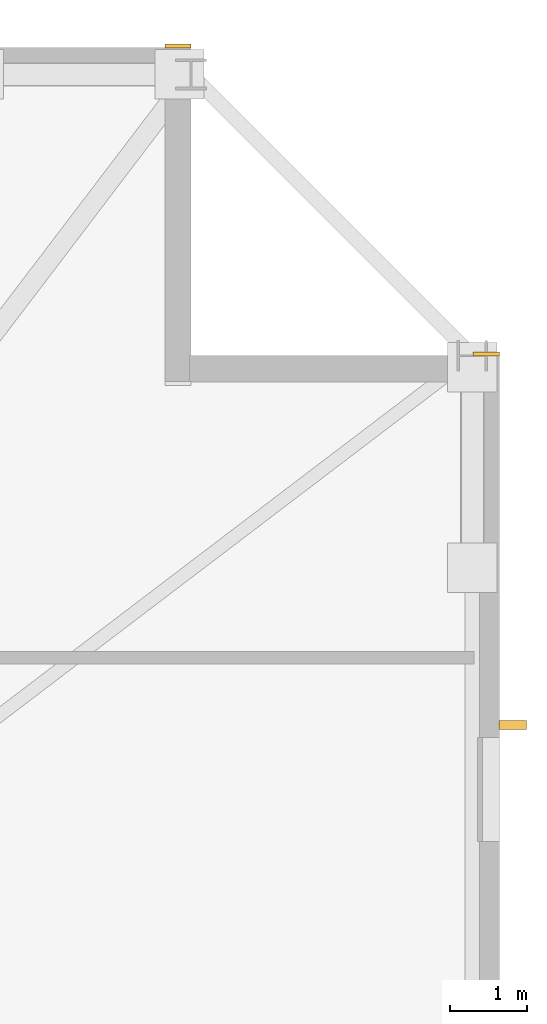
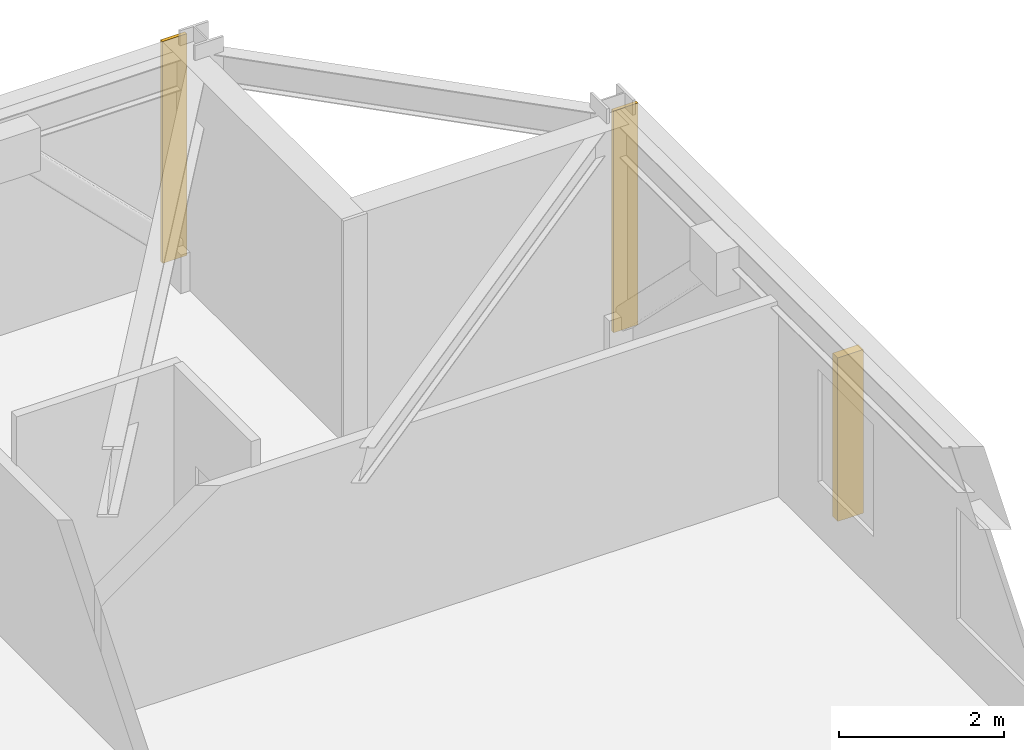
# One storey, part 11 of 11: 2 coverings, 1 shading device.
"""IFC4 building model written with IfcOpenShell, lengths in metres."""

from ifc_helpers import new_model, si_unit, direction, frame, frame_2d, origin, origin_2d, place, context, subcontext, project, spatial, rectangle, extrude, material, layer, layer_set, type_object, element, save


model = new_model("IFC4")

# Units and contexts
model_context = context("Model", 3, precision=1e-05, world=origin(), true_north=direction((0.0, 1.0)))
body_context = subcontext(model_context, "Body", "Model", "MODEL_VIEW")
ifc_project = project(units=[si_unit("LENGTHUNIT", "METRE"), si_unit("AREAUNIT", "SQUARE_METRE"), si_unit("VOLUMEUNIT", "CUBIC_METRE"), si_unit("PLANEANGLEUNIT", "RADIAN"), si_unit("MASSUNIT", "GRAM", prefix="KILO")], contexts=[model_context])

# Site, building, storey
site_placement = place(None, origin())
site = spatial("IfcSite", under=ifc_project, at=site_placement, CompositionType="ELEMENT")
building_placement = place(site_placement, origin())
building = spatial("IfcBuilding", under=site, at=building_placement, Name="Cairnveth Concourse Tower", CompositionType="ELEMENT")
storey_placement = place(building_placement, frame((0.0, 0.0, 169.0)))
storey = spatial("IfcBuildingStorey", under=building, at=storey_placement, Name="L46", CompositionType="ELEMENT", Elevation=169.0)

# Coverings
ifc_material_1 = material(Name="Dressed Melbourne Bluestone Cladding", Category="masonry")
ifc_layer = layer(ifc_material_1, 0.050048828125)
ifc_layer_set = layer_set([ifc_layer], Name="Dressed Melbourne Bluestone Cladding")
covering_type = type_object("IfcCoveringType", Name="DRESSED BLUESTONE PLINTH CLADDING 50", PredefinedType="CLADDING", material=ifc_layer_set)
for number, where, z_axis, x_axis, name in (
    (1, (71.659912109375, 63.02001953125, 0.0), (0.0, 0.0, 1.0), (1.0, 0.0, 0.0), "Melbourne Bluestone Corner Quoin L46-682"),
    (2, (75.659912109375, 59.02001953125, 0.0), (0.0, 0.0, 1.0), (1.0, 0.0, 0.0), "Melbourne Bluestone Corner Quoin L46-684"),
):
    element("IfcCovering", number, at=place(storey_placement, frame(where, z_axis=z_axis, x_axis=x_axis)), inside=storey, type_object=covering_type, Name=name, PredefinedType="CLADDING", context=body_context, shape_type="SweptSolid", body=[
        extrude(rectangle(XDim=0.340087890625, YDim=0.050048828125, at=frame_2d((0.169921875, 0.0))), origin(), (0.0, 0.0, 1.0), 3.280029296875),
    ])

# Shading device
ifc_material_2 = material(Name="Architectural Bronze Anodised Aluminium 6063-T6", Category="aluminium")
shading_device_type = type_object("IfcShadingDeviceType", Name="GOTHIC BRONZE VERTICAL LANCET FIN", PredefinedType="USERDEFINED", material=ifc_material_2)
shading_device_placement = place(storey_placement, frame((76.175048828125, 54.208251953125, 0.030029296875), z_axis=(0.0, 0.0, 1.0), x_axis=(0.0, 1.0, 0.0)))
element("IfcShadingDevice", 3, at=shading_device_placement, inside=storey, type_object=shading_device_type, Name="Gothic Bronze Vertical Fin L46-9-1", ObjectType="VERTICAL FIN", PredefinedType="USERDEFINED", context=body_context, shape_type="SweptSolid", body=[
    extrude(rectangle(XDim=0.1201171875, YDim=0.360107421875, at=origin_2d()), origin(), (0.0, 0.0, 1.0), 2.419921875),
])

save(model, "model.ifc")
